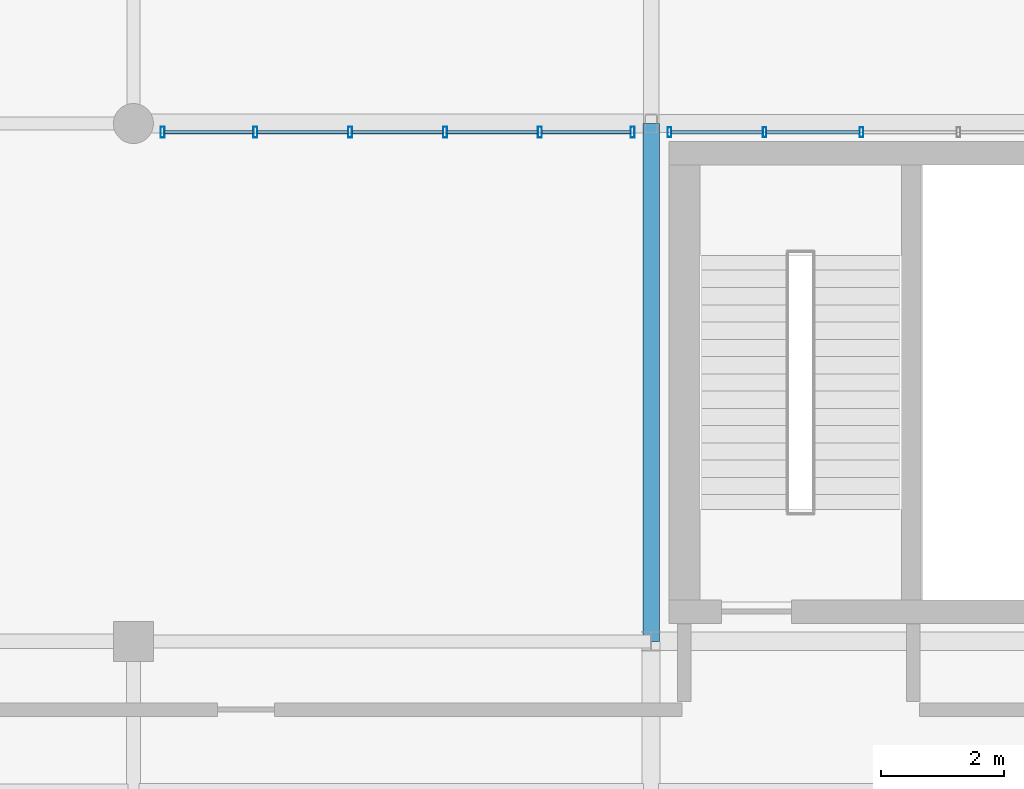
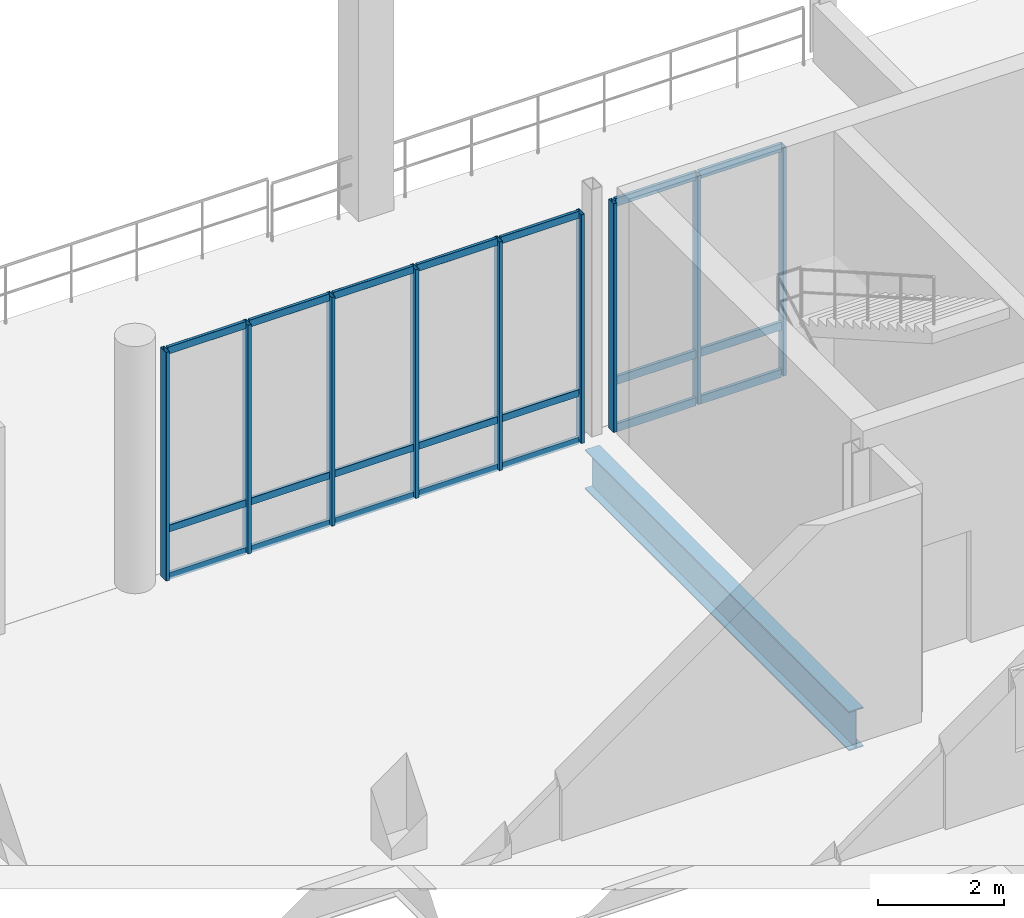
# One storey, part 34 of 81: 30 members, 1 beam, 2 elements without a shape of their own.
"""IFC4 building model written with IfcOpenShell, lengths in metres."""

from ifc_helpers import new_model, si_unit, direction, frame, origin_with_axes, origin_2d_with_axis, place, context, subcontext, project, spatial, hollow_rectangle, i_section, extrude, material, material_profile, profile_set, type_object, element, aggregate, save


model = new_model("IFC4")

# Units and contexts
model_context = context("Model", 3, precision=1e-05, world=origin_with_axes(), true_north=direction((0.0, 1.0)))
body_context = subcontext(model_context, "Body", "Model", "MODEL_VIEW")
ifc_project = project(units=[si_unit("LENGTHUNIT", "METRE"), si_unit("AREAUNIT", "SQUARE_METRE"), si_unit("VOLUMEUNIT", "CUBIC_METRE"), si_unit("PLANEANGLEUNIT", "RADIAN"), si_unit("MASSUNIT", "GRAM", prefix="KILO"), si_unit("THERMODYNAMICTEMPERATUREUNIT", "KELVIN")], contexts=[model_context])

# Site, building, storey
site_placement = place(None, origin_with_axes())
site = spatial("IfcSite", under=ifc_project, at=site_placement, CompositionType="ELEMENT")
building_placement = place(site_placement, origin_with_axes())
building = spatial("IfcBuilding", under=site, at=building_placement, Name="Montbau Bow Law Courts", CompositionType="ELEMENT")
storey_placement = place(building_placement, frame((0.0, 0.0, 24.9), z_axis=(0.0, 0.0, 1.0), x_axis=(1.0, 0.0, 0.0)))
storey = spatial("IfcBuildingStorey", under=building, at=storey_placement, Name="L05", CompositionType="ELEMENT", Elevation=24.9)

# Beam
ifc_material_1 = material(Name="Steel CSA G40.21 Grade 350W (350 MPa)", Category="steel")
ifc_material_profile_1 = material_profile(ifc_material_1, i_section(OverallWidth=0.267, OverallDepth=0.766, WebThickness=0.0149, FlangeThickness=0.0236, at=origin_2d_with_axis()), Name="W760X185", Category="Main", Priority=0)
ifc_profile_set_1 = profile_set([ifc_material_profile_1], Name="Steel CSA G40.21 Grade 350W (350 MPa)")
beam_type = type_object("IfcBeamType", Name="B-FLR-03", PredefinedType="BEAM", material=ifc_profile_set_1)
beam_placement = place(None, frame((80.4, 46.2, 24.197), z_axis=(0.0, 1.0, 0.0), x_axis=(-1.0, 0.0, 0.0)))
element("IfcBeam", 1, at=beam_placement, inside=storey, type_object=beam_type, Name="BM-L05-S0989:bm2_0992", PredefinedType="BEAM", context=body_context, shape_type="SweptSolid", body=[
    extrude(i_section(OverallWidth=0.267, OverallDepth=0.766, WebThickness=0.0149, FlangeThickness=0.0236, at=origin_2d_with_axis()), origin_with_axes(), (0.0, 0.0, 1.0), 8.4),
])

# Curtain wall, members
ifc_material_2 = material(Name="Thermally Broken Extruded Aluminium AA 6063-T6", Category="aluminium")
curtain_wall_type = type_object("IfcCurtainWallType", Name="CW-NCK-02", PredefinedType="NOTDEFINED", material=ifc_material_2)
curtain_wall_1_placement = place(None, frame((72.44, 54.46, 24.9), z_axis=(0.0, 0.0, 1.0), x_axis=(1.0, 0.0, 0.0)))
curtain_wall_1 = element("IfcCurtainWall", 2, at=curtain_wall_1_placement, inside=storey, type_object=curtain_wall_type, Name="CW-L05-217:cw_0217", PredefinedType="NOTDEFINED")
ifc_material_profile_2 = material_profile(ifc_material_2, hollow_rectangle(XDim=0.065, YDim=0.18, WallThickness=0.005, InnerFilletRadius=0.01, OuterFilletRadius=0.005, at=origin_2d_with_axis()), Name="CWM-180X65", Category="Main", Priority=0)
ifc_profile_set_2 = profile_set([ifc_material_profile_2], Name="Thermally Broken Extruded Aluminium AA 6063-T6")
member_type_1 = type_object("IfcMemberType", Name="M-MUL-02", PredefinedType="MULLION", material=ifc_profile_set_2)
member_1_placement = place(None, frame((72.473, 54.46, 24.9), z_axis=(0.0, 0.0, 1.0), x_axis=(1.0, 0.0, 0.0)))
member_1 = element("IfcMember", 3, at=member_1_placement, type_object=member_type_1, Name="CW-L05-217-M01:cw_0217_M01", PredefinedType="MULLION", context=body_context, shape_type="SweptSolid", body=[
    extrude(hollow_rectangle(XDim=0.065, YDim=0.18, WallThickness=0.005, InnerFilletRadius=0.01, OuterFilletRadius=0.005, at=origin_2d_with_axis()), origin_with_axes(), (0.0, 0.0, 1.0), 4.44),
])
member_2_placement = place(None, frame((73.979, 54.46, 24.9), z_axis=(0.0, 0.0, 1.0), x_axis=(1.0, 0.0, 0.0)))
member_2 = element("IfcMember", 4, at=member_2_placement, type_object=member_type_1, Name="CW-L05-217-M02:cw_0217_M02", PredefinedType="MULLION", context=body_context, shape_type="SweptSolid", body=[
    extrude(hollow_rectangle(XDim=0.065, YDim=0.18, WallThickness=0.005, InnerFilletRadius=0.01, OuterFilletRadius=0.005, at=origin_2d_with_axis()), origin_with_axes(), (0.0, 0.0, 1.0), 4.44),
])
member_3_placement = place(None, frame((75.517, 54.46, 24.9), z_axis=(0.0, 0.0, 1.0), x_axis=(1.0, 0.0, 0.0)))
member_3 = element("IfcMember", 5, at=member_3_placement, type_object=member_type_1, Name="CW-L05-217-M03:cw_0217_M03", PredefinedType="MULLION", context=body_context, shape_type="SweptSolid", body=[
    extrude(hollow_rectangle(XDim=0.065, YDim=0.18, WallThickness=0.005, InnerFilletRadius=0.01, OuterFilletRadius=0.005, at=origin_2d_with_axis()), origin_with_axes(), (0.0, 0.0, 1.0), 4.44),
])
member_4_placement = place(None, frame((77.056, 54.46, 24.9), z_axis=(0.0, 0.0, 1.0), x_axis=(1.0, 0.0, 0.0)))
member_4 = element("IfcMember", 6, at=member_4_placement, type_object=member_type_1, Name="CW-L05-217-M04:cw_0217_M04", PredefinedType="MULLION", context=body_context, shape_type="SweptSolid", body=[
    extrude(hollow_rectangle(XDim=0.065, YDim=0.18, WallThickness=0.005, InnerFilletRadius=0.01, OuterFilletRadius=0.005, at=origin_2d_with_axis()), origin_with_axes(), (0.0, 0.0, 1.0), 4.44),
])
member_5_placement = place(None, frame((78.594, 54.46, 24.9), z_axis=(0.0, 0.0, 1.0), x_axis=(1.0, 0.0, 0.0)))
member_5 = element("IfcMember", 7, at=member_5_placement, type_object=member_type_1, Name="CW-L05-217-M05:cw_0217_M05", PredefinedType="MULLION", context=body_context, shape_type="SweptSolid", body=[
    extrude(hollow_rectangle(XDim=0.065, YDim=0.18, WallThickness=0.005, InnerFilletRadius=0.01, OuterFilletRadius=0.005, at=origin_2d_with_axis()), origin_with_axes(), (0.0, 0.0, 1.0), 4.44),
])
member_6_placement = place(None, frame((80.1, 54.46, 24.9), z_axis=(0.0, 0.0, 1.0), x_axis=(1.0, 0.0, 0.0)))
member_6 = element("IfcMember", 8, at=member_6_placement, type_object=member_type_1, Name="CW-L05-217-M06:cw_0217_M06", PredefinedType="MULLION", context=body_context, shape_type="SweptSolid", body=[
    extrude(hollow_rectangle(XDim=0.065, YDim=0.18, WallThickness=0.005, InnerFilletRadius=0.01, OuterFilletRadius=0.005, at=origin_2d_with_axis()), origin_with_axes(), (0.0, 0.0, 1.0), 4.44),
])

curtain_wall_2_placement = place(None, frame((80.668, 54.46, 24.9), z_axis=(0.0, 0.0, 1.0), x_axis=(1.0, 0.0, 0.0)))
curtain_wall_2 = element("IfcCurtainWall", 9, at=curtain_wall_2_placement, inside=storey, type_object=curtain_wall_type, Name="CW-L05-218:cw_0218", PredefinedType="NOTDEFINED")
ifc_material_profile_3 = material_profile(ifc_material_2, hollow_rectangle(XDim=0.06, YDim=0.16, WallThickness=0.004, InnerFilletRadius=0.008, OuterFilletRadius=0.004, at=origin_2d_with_axis()), Name="CWM-160X60", Category="Main", Priority=0)
ifc_profile_set_3 = profile_set([ifc_material_profile_3], Name="Thermally Broken Extruded Aluminium AA 6063-T6")
member_type_2 = type_object("IfcMemberType", Name="M-MUL-03", PredefinedType="MULLION", material=ifc_profile_set_3)
member_7_placement = place(None, frame((80.698, 54.46, 24.9), z_axis=(0.0, 0.0, 1.0), x_axis=(1.0, 0.0, 0.0)))
member_7 = element("IfcMember", 10, at=member_7_placement, type_object=member_type_2, Name="CW-L05-218-M01:cw_0218_M01", PredefinedType="MULLION", context=body_context, shape_type="SweptSolid", body=[
    extrude(hollow_rectangle(XDim=0.06, YDim=0.16, WallThickness=0.004, InnerFilletRadius=0.008, OuterFilletRadius=0.004, at=origin_2d_with_axis()), origin_with_axes(), (0.0, 0.0, 1.0), 4.44),
])
member_8_placement = place(None, frame((82.241, 54.46, 24.9), z_axis=(0.0, 0.0, 1.0), x_axis=(1.0, 0.0, 0.0)))
member_8 = element("IfcMember", 11, at=member_8_placement, type_object=member_type_2, Name="CW-L05-218-M02:cw_0218_M02", PredefinedType="MULLION", context=body_context, shape_type="SweptSolid", body=[
    extrude(hollow_rectangle(XDim=0.06, YDim=0.16, WallThickness=0.004, InnerFilletRadius=0.008, OuterFilletRadius=0.004, at=origin_2d_with_axis()), origin_with_axes(), (0.0, 0.0, 1.0), 4.44),
])
member_9_placement = place(None, frame((83.814, 54.46, 24.9), z_axis=(0.0, 0.0, 1.0), x_axis=(1.0, 0.0, 0.0)))
member_9 = element("IfcMember", 12, at=member_9_placement, type_object=member_type_2, Name="CW-L05-218-M03:cw_0218_M03", PredefinedType="MULLION", context=body_context, shape_type="SweptSolid", body=[
    extrude(hollow_rectangle(XDim=0.06, YDim=0.16, WallThickness=0.004, InnerFilletRadius=0.008, OuterFilletRadius=0.004, at=origin_2d_with_axis()), origin_with_axes(), (0.0, 0.0, 1.0), 4.44),
])
ifc_material_profile_4 = material_profile(ifc_material_2, hollow_rectangle(XDim=0.06, YDim=0.16, WallThickness=0.004, InnerFilletRadius=0.008, OuterFilletRadius=0.004, at=origin_2d_with_axis()), Name="CWT-160X60", Category="Main", Priority=0)
ifc_profile_set_4 = profile_set([ifc_material_profile_4], Name="Thermally Broken Extruded Aluminium AA 6063-T6")
member_type_3 = type_object("IfcMemberType", Name="M-TRN-01", PredefinedType="USERDEFINED", material=ifc_profile_set_4)
member_10_placement = place(None, frame((80.73, 54.46, 24.93), z_axis=(1.0, 0.0, 0.0), x_axis=(0.0, 1.0, 0.0)))
member_10 = element("IfcMember", 13, at=member_10_placement, type_object=member_type_3, Name="CW-L05-218-T01-1:cw_0218_T01_1", ObjectType="TRANSOM", PredefinedType="USERDEFINED", context=body_context, shape_type="SweptSolid", body=[
    extrude(hollow_rectangle(XDim=0.06, YDim=0.16, WallThickness=0.004, InnerFilletRadius=0.008, OuterFilletRadius=0.004, at=origin_2d_with_axis()), origin_with_axes(), (0.0, 0.0, 1.0), 1.479),
])
member_11_placement = place(None, frame((80.73, 54.46, 25.85), z_axis=(1.0, 0.0, 0.0), x_axis=(0.0, 1.0, 0.0)))
member_11 = element("IfcMember", 14, at=member_11_placement, type_object=member_type_3, Name="CW-L05-218-T01-2:cw_0218_T01_2", ObjectType="TRANSOM", PredefinedType="USERDEFINED", context=body_context, shape_type="SweptSolid", body=[
    extrude(hollow_rectangle(XDim=0.06, YDim=0.16, WallThickness=0.004, InnerFilletRadius=0.008, OuterFilletRadius=0.004, at=origin_2d_with_axis()), origin_with_axes(), (0.0, 0.0, 1.0), 1.479),
])
member_12_placement = place(None, frame((80.73, 54.46, 29.31), z_axis=(1.0, 0.0, 0.0), x_axis=(0.0, 1.0, 0.0)))
member_12 = element("IfcMember", 15, at=member_12_placement, type_object=member_type_3, Name="CW-L05-218-T01-3:cw_0218_T01_3", ObjectType="TRANSOM", PredefinedType="USERDEFINED", context=body_context, shape_type="SweptSolid", body=[
    extrude(hollow_rectangle(XDim=0.06, YDim=0.16, WallThickness=0.004, InnerFilletRadius=0.008, OuterFilletRadius=0.004, at=origin_2d_with_axis()), origin_with_axes(), (0.0, 0.0, 1.0), 1.479),
])
member_13_placement = place(None, frame((82.273, 54.46, 24.93), z_axis=(1.0, 0.0, 0.0), x_axis=(0.0, 1.0, 0.0)))
member_13 = element("IfcMember", 16, at=member_13_placement, type_object=member_type_3, Name="CW-L05-218-T02-1:cw_0218_T02_1", ObjectType="TRANSOM", PredefinedType="USERDEFINED", context=body_context, shape_type="SweptSolid", body=[
    extrude(hollow_rectangle(XDim=0.06, YDim=0.16, WallThickness=0.004, InnerFilletRadius=0.008, OuterFilletRadius=0.004, at=origin_2d_with_axis()), origin_with_axes(), (0.0, 0.0, 1.0), 1.509),
])
member_14_placement = place(None, frame((82.273, 54.46, 25.85), z_axis=(1.0, 0.0, 0.0), x_axis=(0.0, 1.0, 0.0)))
member_14 = element("IfcMember", 17, at=member_14_placement, type_object=member_type_3, Name="CW-L05-218-T02-2:cw_0218_T02_2", ObjectType="TRANSOM", PredefinedType="USERDEFINED", context=body_context, shape_type="SweptSolid", body=[
    extrude(hollow_rectangle(XDim=0.06, YDim=0.16, WallThickness=0.004, InnerFilletRadius=0.008, OuterFilletRadius=0.004, at=origin_2d_with_axis()), origin_with_axes(), (0.0, 0.0, 1.0), 1.509),
])
member_15_placement = place(None, frame((82.273, 54.46, 29.31), z_axis=(1.0, 0.0, 0.0), x_axis=(0.0, 1.0, 0.0)))
member_15 = element("IfcMember", 18, at=member_15_placement, type_object=member_type_3, Name="CW-L05-218-T02-3:cw_0218_T02_3", ObjectType="TRANSOM", PredefinedType="USERDEFINED", context=body_context, shape_type="SweptSolid", body=[
    extrude(hollow_rectangle(XDim=0.06, YDim=0.16, WallThickness=0.004, InnerFilletRadius=0.008, OuterFilletRadius=0.004, at=origin_2d_with_axis()), origin_with_axes(), (0.0, 0.0, 1.0), 1.509),
])
aggregate(curtain_wall_2, [member_7, member_8, member_9, member_10, member_11, member_12, member_13, member_14, member_15])

# Member
ifc_material_profile_5 = material_profile(ifc_material_2, hollow_rectangle(XDim=0.055, YDim=0.14, WallThickness=0.004, InnerFilletRadius=0.008, OuterFilletRadius=0.004, at=origin_2d_with_axis()), Name="CWT-140X55", Category="Main", Priority=0)
ifc_profile_set_5 = profile_set([ifc_material_profile_5], Name="Thermally Broken Extruded Aluminium AA 6063-T6")
member_type_4 = type_object("IfcMemberType", Name="M-TRN-02", PredefinedType="USERDEFINED", material=ifc_profile_set_5)
member_16_placement = place(None, frame((72.508, 54.46, 24.927), z_axis=(1.0, 0.0, 0.0), x_axis=(0.0, 1.0, 0.0)))
member_16 = element("IfcMember", 19, at=member_16_placement, type_object=member_type_4, Name="CW-L05-217-T01-1:cw_0217_T01_1", ObjectType="TRANSOM", PredefinedType="USERDEFINED", context=body_context, shape_type="SweptSolid", body=[
    extrude(hollow_rectangle(XDim=0.055, YDim=0.14, WallThickness=0.004, InnerFilletRadius=0.008, OuterFilletRadius=0.004, at=origin_2d_with_axis()), origin_with_axes(), (0.0, 0.0, 1.0), 1.436),
])

member_17_placement = place(None, frame((72.508, 54.46, 25.85), z_axis=(1.0, 0.0, 0.0), x_axis=(0.0, 1.0, 0.0)))
member_17 = element("IfcMember", 20, at=member_17_placement, type_object=member_type_4, Name="CW-L05-217-T01-2:cw_0217_T01_2", ObjectType="TRANSOM", PredefinedType="USERDEFINED", context=body_context, shape_type="SweptSolid", body=[
    extrude(hollow_rectangle(XDim=0.055, YDim=0.14, WallThickness=0.004, InnerFilletRadius=0.008, OuterFilletRadius=0.004, at=origin_2d_with_axis()), origin_with_axes(), (0.0, 0.0, 1.0), 1.436),
])

member_18_placement = place(None, frame((72.508, 54.46, 29.312), z_axis=(1.0, 0.0, 0.0), x_axis=(0.0, 1.0, 0.0)))
member_18 = element("IfcMember", 21, at=member_18_placement, type_object=member_type_4, Name="CW-L05-217-T01-3:cw_0217_T01_3", ObjectType="TRANSOM", PredefinedType="USERDEFINED", context=body_context, shape_type="SweptSolid", body=[
    extrude(hollow_rectangle(XDim=0.055, YDim=0.14, WallThickness=0.004, InnerFilletRadius=0.008, OuterFilletRadius=0.004, at=origin_2d_with_axis()), origin_with_axes(), (0.0, 0.0, 1.0), 1.436),
])

member_19_placement = place(None, frame((74.013, 54.46, 24.927), z_axis=(1.0, 0.0, 0.0), x_axis=(0.0, 1.0, 0.0)))
member_19 = element("IfcMember", 22, at=member_19_placement, type_object=member_type_4, Name="CW-L05-217-T02-1:cw_0217_T02_1", ObjectType="TRANSOM", PredefinedType="USERDEFINED", context=body_context, shape_type="SweptSolid", body=[
    extrude(hollow_rectangle(XDim=0.055, YDim=0.14, WallThickness=0.004, InnerFilletRadius=0.008, OuterFilletRadius=0.004, at=origin_2d_with_axis()), origin_with_axes(), (0.0, 0.0, 1.0), 1.469),
])

member_20_placement = place(None, frame((74.013, 54.46, 25.85), z_axis=(1.0, 0.0, 0.0), x_axis=(0.0, 1.0, 0.0)))
member_20 = element("IfcMember", 23, at=member_20_placement, type_object=member_type_4, Name="CW-L05-217-T02-2:cw_0217_T02_2", ObjectType="TRANSOM", PredefinedType="USERDEFINED", context=body_context, shape_type="SweptSolid", body=[
    extrude(hollow_rectangle(XDim=0.055, YDim=0.14, WallThickness=0.004, InnerFilletRadius=0.008, OuterFilletRadius=0.004, at=origin_2d_with_axis()), origin_with_axes(), (0.0, 0.0, 1.0), 1.469),
])

member_21_placement = place(None, frame((74.013, 54.46, 29.312), z_axis=(1.0, 0.0, 0.0), x_axis=(0.0, 1.0, 0.0)))
member_21 = element("IfcMember", 24, at=member_21_placement, type_object=member_type_4, Name="CW-L05-217-T02-3:cw_0217_T02_3", ObjectType="TRANSOM", PredefinedType="USERDEFINED", context=body_context, shape_type="SweptSolid", body=[
    extrude(hollow_rectangle(XDim=0.055, YDim=0.14, WallThickness=0.004, InnerFilletRadius=0.008, OuterFilletRadius=0.004, at=origin_2d_with_axis()), origin_with_axes(), (0.0, 0.0, 1.0), 1.469),
])

member_22_placement = place(None, frame((75.551, 54.46, 24.927), z_axis=(1.0, 0.0, 0.0), x_axis=(0.0, 1.0, 0.0)))
member_22 = element("IfcMember", 25, at=member_22_placement, type_object=member_type_4, Name="CW-L05-217-T03-1:cw_0217_T03_1", ObjectType="TRANSOM", PredefinedType="USERDEFINED", context=body_context, shape_type="SweptSolid", body=[
    extrude(hollow_rectangle(XDim=0.055, YDim=0.14, WallThickness=0.004, InnerFilletRadius=0.008, OuterFilletRadius=0.004, at=origin_2d_with_axis()), origin_with_axes(), (0.0, 0.0, 1.0), 1.471),
])

member_23_placement = place(None, frame((75.551, 54.46, 25.85), z_axis=(1.0, 0.0, 0.0), x_axis=(0.0, 1.0, 0.0)))
member_23 = element("IfcMember", 26, at=member_23_placement, type_object=member_type_4, Name="CW-L05-217-T03-2:cw_0217_T03_2", ObjectType="TRANSOM", PredefinedType="USERDEFINED", context=body_context, shape_type="SweptSolid", body=[
    extrude(hollow_rectangle(XDim=0.055, YDim=0.14, WallThickness=0.004, InnerFilletRadius=0.008, OuterFilletRadius=0.004, at=origin_2d_with_axis()), origin_with_axes(), (0.0, 0.0, 1.0), 1.471),
])

member_24_placement = place(None, frame((75.551, 54.46, 29.312), z_axis=(1.0, 0.0, 0.0), x_axis=(0.0, 1.0, 0.0)))
member_24 = element("IfcMember", 27, at=member_24_placement, type_object=member_type_4, Name="CW-L05-217-T03-3:cw_0217_T03_3", ObjectType="TRANSOM", PredefinedType="USERDEFINED", context=body_context, shape_type="SweptSolid", body=[
    extrude(hollow_rectangle(XDim=0.055, YDim=0.14, WallThickness=0.004, InnerFilletRadius=0.008, OuterFilletRadius=0.004, at=origin_2d_with_axis()), origin_with_axes(), (0.0, 0.0, 1.0), 1.471),
])

member_25_placement = place(None, frame((77.09, 54.46, 24.927), z_axis=(1.0, 0.0, 0.0), x_axis=(0.0, 1.0, 0.0)))
member_25 = element("IfcMember", 28, at=member_25_placement, type_object=member_type_4, Name="CW-L05-217-T04-1:cw_0217_T04_1", ObjectType="TRANSOM", PredefinedType="USERDEFINED", context=body_context, shape_type="SweptSolid", body=[
    extrude(hollow_rectangle(XDim=0.055, YDim=0.14, WallThickness=0.004, InnerFilletRadius=0.008, OuterFilletRadius=0.004, at=origin_2d_with_axis()), origin_with_axes(), (0.0, 0.0, 1.0), 1.47),
])

member_26_placement = place(None, frame((77.09, 54.46, 25.85), z_axis=(1.0, 0.0, 0.0), x_axis=(0.0, 1.0, 0.0)))
member_26 = element("IfcMember", 29, at=member_26_placement, type_object=member_type_4, Name="CW-L05-217-T04-2:cw_0217_T04_2", ObjectType="TRANSOM", PredefinedType="USERDEFINED", context=body_context, shape_type="SweptSolid", body=[
    extrude(hollow_rectangle(XDim=0.055, YDim=0.14, WallThickness=0.004, InnerFilletRadius=0.008, OuterFilletRadius=0.004, at=origin_2d_with_axis()), origin_with_axes(), (0.0, 0.0, 1.0), 1.47),
])

member_27_placement = place(None, frame((77.09, 54.46, 29.312), z_axis=(1.0, 0.0, 0.0), x_axis=(0.0, 1.0, 0.0)))
member_27 = element("IfcMember", 30, at=member_27_placement, type_object=member_type_4, Name="CW-L05-217-T04-3:cw_0217_T04_3", ObjectType="TRANSOM", PredefinedType="USERDEFINED", context=body_context, shape_type="SweptSolid", body=[
    extrude(hollow_rectangle(XDim=0.055, YDim=0.14, WallThickness=0.004, InnerFilletRadius=0.008, OuterFilletRadius=0.004, at=origin_2d_with_axis()), origin_with_axes(), (0.0, 0.0, 1.0), 1.47),
])

member_28_placement = place(None, frame((78.628, 54.46, 24.927), z_axis=(1.0, 0.0, 0.0), x_axis=(0.0, 1.0, 0.0)))
member_28 = element("IfcMember", 31, at=member_28_placement, type_object=member_type_4, Name="CW-L05-217-T05-1:cw_0217_T05_1", ObjectType="TRANSOM", PredefinedType="USERDEFINED", context=body_context, shape_type="SweptSolid", body=[
    extrude(hollow_rectangle(XDim=0.055, YDim=0.14, WallThickness=0.004, InnerFilletRadius=0.008, OuterFilletRadius=0.004, at=origin_2d_with_axis()), origin_with_axes(), (0.0, 0.0, 1.0), 1.438),
])

member_29_placement = place(None, frame((78.628, 54.46, 25.85), z_axis=(1.0, 0.0, 0.0), x_axis=(0.0, 1.0, 0.0)))
member_29 = element("IfcMember", 32, at=member_29_placement, type_object=member_type_4, Name="CW-L05-217-T05-2:cw_0217_T05_2", ObjectType="TRANSOM", PredefinedType="USERDEFINED", context=body_context, shape_type="SweptSolid", body=[
    extrude(hollow_rectangle(XDim=0.055, YDim=0.14, WallThickness=0.004, InnerFilletRadius=0.008, OuterFilletRadius=0.004, at=origin_2d_with_axis()), origin_with_axes(), (0.0, 0.0, 1.0), 1.438),
])

member_30_placement = place(None, frame((78.628, 54.46, 29.312), z_axis=(1.0, 0.0, 0.0), x_axis=(0.0, 1.0, 0.0)))
member_30 = element("IfcMember", 33, at=member_30_placement, type_object=member_type_4, Name="CW-L05-217-T05-3:cw_0217_T05_3", ObjectType="TRANSOM", PredefinedType="USERDEFINED", context=body_context, shape_type="SweptSolid", body=[
    extrude(hollow_rectangle(XDim=0.055, YDim=0.14, WallThickness=0.004, InnerFilletRadius=0.008, OuterFilletRadius=0.004, at=origin_2d_with_axis()), origin_with_axes(), (0.0, 0.0, 1.0), 1.438),
])

aggregate(curtain_wall_1, [member_1, member_2, member_3, member_4, member_5, member_6, member_16, member_17, member_18, member_19, member_20, member_21, member_22, member_23, member_24, member_25, member_26, member_27, member_28, member_29, member_30])

save(model, "model.ifc")
